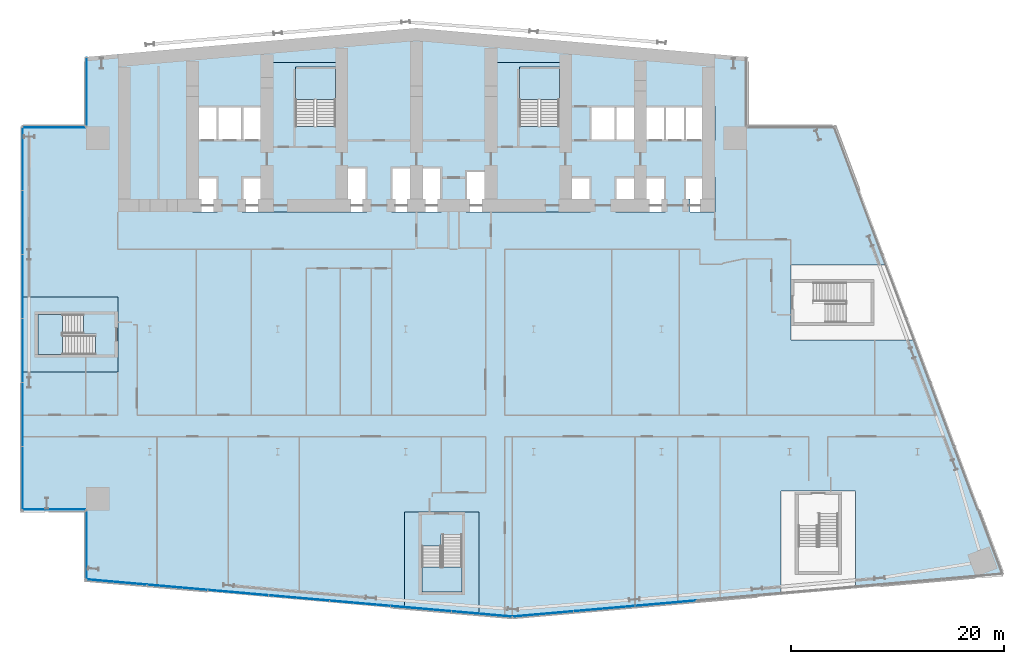
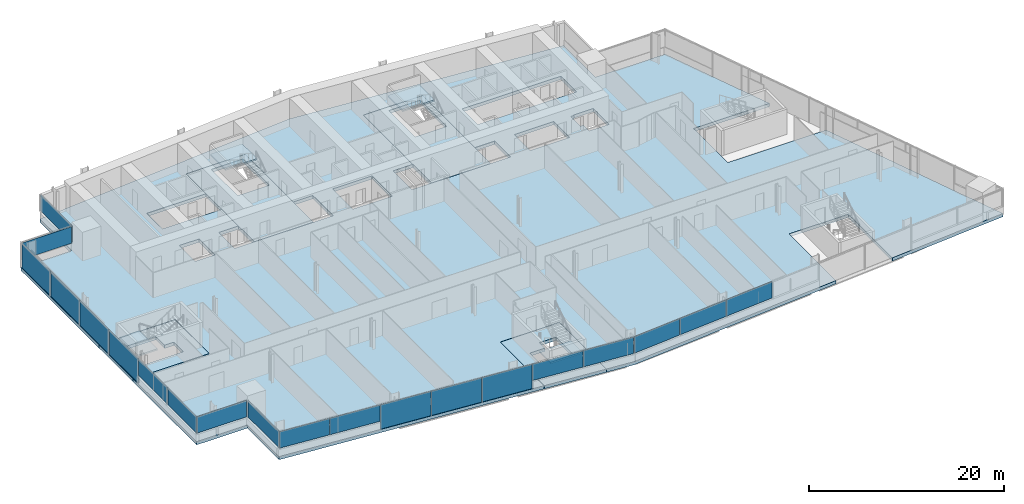
# One storey, part 11 of 24: 20 plates, 9 slabs, 11 elements without a shape of their own.
"""IFC4 building model written with IfcOpenShell, lengths in metres."""

from ifc_helpers import new_model, si_unit, direction, frame, origin, origin_2d, place, context, subcontext, project, spatial, polyline, rectangle, outline, extrude, material, layer, layer_set, type_object, element, aggregate, save


model = new_model("IFC4")

# Units and contexts
model_context = context("Model", 3, precision=1e-05, world=origin(), true_north=direction((0.0, 1.0)))
body_context = subcontext(model_context, "Body", "Model", "MODEL_VIEW")
ifc_project = project(units=[si_unit("LENGTHUNIT", "METRE"), si_unit("AREAUNIT", "SQUARE_METRE"), si_unit("VOLUMEUNIT", "CUBIC_METRE"), si_unit("PLANEANGLEUNIT", "RADIAN"), si_unit("MASSUNIT", "GRAM", prefix="KILO")], contexts=[model_context])

# Site, building, storey
site_placement = place(None, origin())
site = spatial("IfcSite", under=ifc_project, at=site_placement, CompositionType="ELEMENT")
building_placement = place(site_placement, origin())
building = spatial("IfcBuilding", under=site, at=building_placement, Name="Wharfspan Tower", CompositionType="ELEMENT")
storey_placement = place(building_placement, frame((0.0, 0.0, 88.300049)))
storey = spatial("IfcBuildingStorey", under=building, at=storey_placement, Name="L19", CompositionType="ELEMENT", Elevation=88.300049)

# Curtain wall, plates
ifc_material_1 = material(Name="Aluminium 6063-T6", Category="aluminium")
curtain_wall_type_1 = type_object("IfcCurtainWallType", Name="CURTAIN WALL FACETED FRONT", PredefinedType="NOTDEFINED", material=ifc_material_1)
curtain_wall_1_placement = place(storey_placement, origin())
curtain_wall_1 = element("IfcCurtainWall", 1, at=curtain_wall_1_placement, inside=storey, type_object=curtain_wall_type_1, Name="Curtain wall S1", PredefinedType="NOTDEFINED")
ifc_material_2 = material(Name="Glass clear low-iron double glazing", Category="glass")
ifc_layer_1 = layer(ifc_material_2, 0.040039)
ifc_layer_set_1 = layer_set([ifc_layer_1], Name="Glass clear low-iron double glazing")
plate_type_1 = type_object("IfcPlateType", Name="GLASS PANEL FACETED FRONT 40", PredefinedType="CURTAIN_PANEL", material=ifc_layer_set_1)
plate_1_placement = place(storey_placement, frame((8.877197, -0.716553, 1.0), z_axis=(0.0, 0.0, 1.0), x_axis=(0.996197, -0.087156, 0.0)))
plate_1 = element("IfcPlate", 2, at=plate_1_placement, type_object=plate_type_1, Name="Curtain wall S1 panel 1", PredefinedType="CURTAIN_PANEL", context=body_context, shape_type="SweptSolid", body=[
    extrude(rectangle(XDim=5.645996, YDim=0.040039, at=origin_2d()), origin(), (0.0, 0.0, 1.0), 2.070068),
])
plate_2_placement = place(storey_placement, frame((14.57666, -1.215088, 1.0), z_axis=(0.0, 0.0, 1.0), x_axis=(0.996197, -0.087156, 0.0)))
plate_2 = element("IfcPlate", 3, at=plate_2_placement, type_object=plate_type_1, Name="Curtain wall S1 panel 2", PredefinedType="CURTAIN_PANEL", context=body_context, shape_type="SweptSolid", body=[
    extrude(rectangle(XDim=5.676025, YDim=0.040039, at=origin_2d()), origin(), (0.0, 0.0, 1.0), 2.070068),
])
plate_3_placement = place(storey_placement, frame((37.433838, -3.214844, 1.0), z_axis=(0.0, 0.0, 1.0), x_axis=(0.996197, -0.087156, 0.0)))
plate_3 = element("IfcPlate", 4, at=plate_3_placement, type_object=plate_type_1, Name="Curtain wall S1 panel 6", PredefinedType="CURTAIN_PANEL", context=body_context, shape_type="SweptSolid", body=[
    extrude(rectangle(XDim=5.676025, YDim=0.040039, at=origin_2d()), origin(), (0.0, 0.0, 1.0), 2.070068),
])
plate_4_placement = place(storey_placement, frame((43.133057, -3.713379, 1.0), z_axis=(0.0, 0.0, 1.0), x_axis=(0.996197, -0.087156, 0.0)))
plate_4 = element("IfcPlate", 5, at=plate_4_placement, type_object=plate_type_1, Name="Curtain wall S1 panel 7", PredefinedType="CURTAIN_PANEL", context=body_context, shape_type="SweptSolid", body=[
    extrude(rectangle(XDim=5.645996, YDim=0.040039, at=origin_2d()), origin(), (0.0, 0.0, 1.0), 2.070068),
])

curtain_wall_2_placement = place(storey_placement, origin())
curtain_wall_2 = element("IfcCurtainWall", 6, at=curtain_wall_2_placement, inside=storey, type_object=curtain_wall_type_1, Name="Curtain wall S2", PredefinedType="NOTDEFINED")
plate_5_placement = place(storey_placement, frame((48.884766, -3.711914, 1.0), z_axis=(0.0, 0.0, 1.0), x_axis=(0.996197, 0.087156, 0.0)))
plate_5 = element("IfcPlate", 7, at=plate_5_placement, type_object=plate_type_1, Name="Curtain wall S2 panel 1", PredefinedType="CURTAIN_PANEL", context=body_context, shape_type="SweptSolid", body=[
    extrude(rectangle(XDim=5.681885, YDim=0.040039, at=origin_2d()), origin(), (0.0, 0.0, 1.0), 2.070068),
])
plate_6_placement = place(storey_placement, frame((54.619873, -3.210205, 1.0), z_axis=(0.0, 0.0, 1.0), x_axis=(0.996197, 0.087156, 0.0)))
plate_6 = element("IfcPlate", 8, at=plate_6_placement, type_object=plate_type_1, Name="Curtain wall S2 panel 2", PredefinedType="CURTAIN_PANEL", context=body_context, shape_type="SweptSolid", body=[
    extrude(rectangle(XDim=5.711914, YDim=0.040039, at=origin_2d()), origin(), (0.0, 0.0, 1.0), 2.070068),
])
plate_7_placement = place(storey_placement, frame((60.369873, -2.707031, 1.0), z_axis=(0.0, 0.0, 1.0), x_axis=(0.996197, 0.087156, 0.0)))
plate_7 = element("IfcPlate", 9, at=plate_7_placement, type_object=plate_type_1, Name="Curtain wall S2 panel 3", PredefinedType="CURTAIN_PANEL", context=body_context, shape_type="SweptSolid", body=[
    extrude(rectangle(XDim=5.711914, YDim=0.040039, at=origin_2d()), origin(), (0.0, 0.0, 1.0), 2.070068),
])
aggregate(curtain_wall_2, [plate_5, plate_6, plate_7])

# Curtain wall, plate
curtain_wall_type_2 = type_object("IfcCurtainWallType", Name="CURTAIN WALL PROW AND END", PredefinedType="NOTDEFINED", material=ifc_material_1)
curtain_wall_3_placement = place(storey_placement, origin())
curtain_wall_3 = element("IfcCurtainWall", 10, at=curtain_wall_3_placement, inside=storey, type_object=curtain_wall_type_2, Name="Curtain wall NRW-V", PredefinedType="NOTDEFINED")
ifc_layer_2 = layer(ifc_material_2, 0.040039)
ifc_layer_set_2 = layer_set([ifc_layer_2], Name="Glass clear low-iron double glazing")
plate_type_2 = type_object("IfcPlateType", Name="GLASS PANEL PROW AND END 40", PredefinedType="CURTAIN_PANEL", material=ifc_layer_set_2)
plate_8_placement = place(storey_placement, frame((6.080078, 45.262451, 1.0), z_axis=(0.0, 0.0, 1.0), x_axis=(0.0, -1.0, 0.0)))
plate_8 = element("IfcPlate", 11, at=plate_8_placement, type_object=plate_type_2, Name="Curtain wall NRW-V panel 1", PredefinedType="CURTAIN_PANEL", context=body_context, shape_type="SweptSolid", body=[
    extrude(rectangle(XDim=6.405029, YDim=0.040039, at=origin_2d()), origin(), (0.0, 0.0, 1.0), 2.070068),
])
aggregate(curtain_wall_3, [plate_8])

curtain_wall_4_placement = place(storey_placement, origin())
curtain_wall_4 = element("IfcCurtainWall", 12, at=curtain_wall_4_placement, inside=storey, type_object=curtain_wall_type_2, Name="Curtain wall NRW-H", PredefinedType="NOTDEFINED")
plate_9_placement = place(storey_placement, frame((3.0, 41.919922, 1.0), z_axis=(0.0, 0.0, 1.0), x_axis=(-1.0, 0.0, 0.0)))
plate_9 = element("IfcPlate", 13, at=plate_9_placement, type_object=plate_type_2, Name="Curtain wall NRW-H panel 1", PredefinedType="CURTAIN_PANEL", context=body_context, shape_type="SweptSolid", body=[
    extrude(rectangle(XDim=5.879883, YDim=0.040039, at=origin_2d()), origin(), (0.0, 0.0, 1.0), 2.070068),
])
aggregate(curtain_wall_4, [plate_9])

# Curtain wall, plates
curtain_wall_5_placement = place(storey_placement, origin())
curtain_wall_5 = element("IfcCurtainWall", 14, at=curtain_wall_5_placement, inside=storey, type_object=curtain_wall_type_2, Name="Curtain wall W", PredefinedType="NOTDEFINED")
plate_10_placement = place(storey_placement, frame((0.080078, 15.0, 1.0), z_axis=(0.0, 0.0, 1.0), x_axis=(0.0, -1.0, 0.0)))
plate_10 = element("IfcPlate", 15, at=plate_10_placement, type_object=plate_type_2, Name="Curtain wall W panel 5", PredefinedType="CURTAIN_PANEL", context=body_context, shape_type="SweptSolid", body=[
    extrude(rectangle(XDim=5.939941, YDim=0.040039, at=origin_2d()), origin(), (0.0, 0.0, 1.0), 2.070068),
])
plate_11_placement = place(storey_placement, frame((0.080078, 9.014893, 1.0), z_axis=(0.0, 0.0, 1.0), x_axis=(0.0, -1.0, 0.0)))
plate_11 = element("IfcPlate", 16, at=plate_11_placement, type_object=plate_type_2, Name="Curtain wall W panel 6", PredefinedType="CURTAIN_PANEL", context=body_context, shape_type="SweptSolid", body=[
    extrude(rectangle(XDim=5.909912, YDim=0.040039, at=origin_2d()), origin(), (0.0, 0.0, 1.0), 2.070068),
])

# Curtain wall, plate
curtain_wall_6_placement = place(storey_placement, origin())
curtain_wall_6 = element("IfcCurtainWall", 17, at=curtain_wall_6_placement, inside=storey, type_object=curtain_wall_type_2, Name="Curtain wall NFW-H", PredefinedType="NOTDEFINED")
plate_12_placement = place(storey_placement, frame((3.0, 6.080078, 1.0), z_axis=(0.0, 0.0, 1.0), x_axis=(1.0, 0.0, 0.0)))
plate_12 = element("IfcPlate", 18, at=plate_12_placement, type_object=plate_type_2, Name="Curtain wall NFW-H panel 1", PredefinedType="CURTAIN_PANEL", context=body_context, shape_type="SweptSolid", body=[
    extrude(rectangle(XDim=5.879883, YDim=0.040039, at=origin_2d()), origin(), (0.0, 0.0, 1.0), 2.070068),
])
aggregate(curtain_wall_6, [plate_12])

curtain_wall_7_placement = place(storey_placement, origin())
curtain_wall_7 = element("IfcCurtainWall", 19, at=curtain_wall_7_placement, inside=storey, type_object=curtain_wall_type_2, Name="Curtain wall NFW-V", PredefinedType="NOTDEFINED")
plate_13_placement = place(storey_placement, frame((6.080078, 2.737549, 1.0), z_axis=(0.0, 0.0, 1.0), x_axis=(0.0, -1.0, 0.0)))
plate_13 = element("IfcPlate", 20, at=plate_13_placement, type_object=plate_type_2, Name="Curtain wall NFW-V panel 1", PredefinedType="CURTAIN_PANEL", context=body_context, shape_type="SweptSolid", body=[
    extrude(rectangle(XDim=6.405029, YDim=0.040039, at=origin_2d()), origin(), (0.0, 0.0, 1.0), 2.070068),
])
aggregate(curtain_wall_7, [plate_13])

# Plate
ifc_material_3 = material(Name="Aluminium composite opaque insulated panel", Category="aluminium")
ifc_layer_3 = layer(ifc_material_3, 0.040039)
ifc_layer_set_3 = layer_set([ifc_layer_3], Name="Aluminium composite opaque insulated panel")
plate_type_3 = type_object("IfcPlateType", Name="INFILL PANEL FACETED FRONT OPAQUE 40", PredefinedType="SHEET", material=ifc_layer_set_3)
plate_14_placement = place(storey_placement, frame((20.291016, -1.715088, 0.0), z_axis=(0.0, 0.0, 1.0), x_axis=(0.996197, -0.087156, 0.0)))
plate_14 = element("IfcPlate", 21, at=plate_14_placement, type_object=plate_type_3, Name="Curtain wall S1 panel 3", PredefinedType="SHEET", context=body_context, shape_type="SweptSolid", body=[
    extrude(rectangle(XDim=5.676025, YDim=0.040039, at=origin_2d()), origin(), (0.0, 0.0, 1.0), 3.070068),
])

plate_15_placement = place(storey_placement, frame((26.005127, -2.214844, 0.0), z_axis=(0.0, 0.0, 1.0), x_axis=(0.996197, -0.087156, 0.0)))
plate_15 = element("IfcPlate", 22, at=plate_15_placement, type_object=plate_type_3, Name="Curtain wall S1 panel 4", PredefinedType="SHEET", context=body_context, shape_type="SweptSolid", body=[
    extrude(rectangle(XDim=5.676025, YDim=0.040039, at=origin_2d()), origin(), (0.0, 0.0, 1.0), 3.070068),
])

plate_16_placement = place(storey_placement, frame((31.719482, -2.714844, 0.0), z_axis=(0.0, 0.0, 1.0), x_axis=(0.996197, -0.087156, 0.0)))
plate_16 = element("IfcPlate", 23, at=plate_16_placement, type_object=plate_type_3, Name="Curtain wall S1 panel 5", PredefinedType="SHEET", context=body_context, shape_type="SweptSolid", body=[
    extrude(rectangle(XDim=5.676025, YDim=0.040039, at=origin_2d()), origin(), (0.0, 0.0, 1.0), 3.070068),
])

aggregate(curtain_wall_1, [plate_1, plate_2, plate_14, plate_15, plate_16, plate_3, plate_4])

ifc_layer_4 = layer(ifc_material_3, 0.040039)
ifc_layer_set_4 = layer_set([ifc_layer_4], Name="Aluminium composite opaque insulated panel")
plate_type_4 = type_object("IfcPlateType", Name="INFILL PANEL PROW AND END OPAQUE 40", PredefinedType="SHEET", material=ifc_layer_set_4)
plate_17_placement = place(storey_placement, frame((0.080078, 38.985107, 0.0), z_axis=(0.0, 0.0, 1.0), x_axis=(0.0, -1.0, 0.0)))
plate_17 = element("IfcPlate", 24, at=plate_17_placement, type_object=plate_type_4, Name="Curtain wall W panel 1", PredefinedType="SHEET", context=body_context, shape_type="SweptSolid", body=[
    extrude(rectangle(XDim=5.909912, YDim=0.040039, at=origin_2d()), origin(), (0.0, 0.0, 1.0), 3.070068),
])

plate_18_placement = place(storey_placement, frame((0.080078, 33.0, 0.0), z_axis=(0.0, 0.0, 1.0), x_axis=(0.0, -1.0, 0.0)))
plate_18 = element("IfcPlate", 25, at=plate_18_placement, type_object=plate_type_4, Name="Curtain wall W panel 2", PredefinedType="SHEET", context=body_context, shape_type="SweptSolid", body=[
    extrude(rectangle(XDim=5.939941, YDim=0.040039, at=origin_2d()), origin(), (0.0, 0.0, 1.0), 3.070068),
])

plate_19_placement = place(storey_placement, frame((0.080078, 27.0, 0.0), z_axis=(0.0, 0.0, 1.0), x_axis=(0.0, -1.0, 0.0)))
plate_19 = element("IfcPlate", 26, at=plate_19_placement, type_object=plate_type_4, Name="Curtain wall W panel 3", PredefinedType="SHEET", context=body_context, shape_type="SweptSolid", body=[
    extrude(rectangle(XDim=5.939941, YDim=0.040039, at=origin_2d()), origin(), (0.0, 0.0, 1.0), 3.070068),
])

plate_20_placement = place(storey_placement, frame((0.080078, 21.0, 0.0), z_axis=(0.0, 0.0, 1.0), x_axis=(0.0, -1.0, 0.0)))
plate_20 = element("IfcPlate", 27, at=plate_20_placement, type_object=plate_type_4, Name="Curtain wall W panel 4", PredefinedType="SHEET", context=body_context, shape_type="SweptSolid", body=[
    extrude(rectangle(XDim=5.939941, YDim=0.040039, at=origin_2d()), origin(), (0.0, 0.0, 1.0), 3.070068),
])

aggregate(curtain_wall_5, [plate_17, plate_18, plate_19, plate_20, plate_10, plate_11])

# Slabs
ifc_material_4 = material(Name="Concrete C40/50", Category="concrete")
ifc_layer_5 = layer(ifc_material_4, 0.399902)
ifc_layer_set_5 = layer_set([ifc_layer_5], Name="Concrete C40/50")
slab_type_1 = type_object("IfcSlabType", Name="Post-tensioned flat slab 400", PredefinedType="FLOOR", material=ifc_layer_set_5)
slab_1_placement = place(storey_placement, frame((0.0, 0.0, -0.400146)))
element("IfcSlab", 28, at=slab_1_placement, inside=storey, type_object=slab_type_1, Name="Floor slab L19", PredefinedType="FLOOR", context=body_context, shape_type="SweptSolid", body=[
    extrude(outline(polyline([(35.873291, -3.138428), (35.873291, 5.870605), (42.893311, 5.870605), (42.893311, -3.752686), (46.0, -4.024414), (71.182617, -1.821289), (71.182617, 7.802002), (78.202393, 7.802002), (78.202393, -1.207031), (92.0, 0.0), (83.753662, 21.98999), (72.11499, 21.98999), (72.11499, 29.01001), (81.121338, 29.01001), (76.25, 42.0), (68.0, 42.0), (68.0, 48.524902), (37.0, 51.237061), (6.0, 48.524902), (6.0, 42.0), (0.0, 42.0), (0.0, 26.01001), (9.01001, 26.01001), (9.01001, 18.98999), (0.0, 18.98999), (0.0, 6.0), (6.0, 6.0), (6.0, -0.524902), (35.873291, -3.138428)]), holes=[polyline([(62.290039, 37.159912), (62.656738, 37.159912), (62.656738, 37.26001), (65.01001, 37.26001), (65.01001, 33.98999), (62.656738, 33.98999), (62.656738, 35.189941), (62.290039, 35.189941), (62.290039, 37.159912)]), polyline([(65.01001, 43.909912), (65.01001, 40.689941), (53.323242, 40.689941), (53.323242, 43.909912), (65.01001, 43.909912)]), polyline([(55.656738, 33.98999), (55.656738, 37.26001), (60.343262, 37.26001), (60.343262, 33.98999), (55.656738, 33.98999)]), polyline([(43.98999, 37.860107), (43.98999, 48.01001), (51.01001, 48.01001), (51.01001, 37.26001), (53.343262, 37.26001), (53.343262, 33.98999), (41.656738, 33.98999), (41.656738, 37.860107), (43.98999, 37.860107)]), polyline([(34.656738, 33.98999), (34.656738, 38.159912), (39.343262, 38.159912), (39.343262, 33.98999), (34.656738, 33.98999)]), polyline([(15.98999, 40.689941), (15.98999, 43.909912), (20.656738, 43.909912), (20.676758, 43.909912), (22.98999, 43.909912), (22.98999, 48.01001), (30.01001, 48.01001), (30.01001, 38.159912), (32.343262, 38.159912), (32.343262, 33.98999), (20.656738, 33.98999), (20.656738, 37.26001), (22.98999, 37.26001), (22.98999, 40.689941), (20.676758, 40.689941), (20.656738, 40.689941), (15.98999, 40.689941)]), polyline([(18.343262, 37.26001), (18.343262, 33.98999), (15.98999, 33.98999), (15.98999, 37.26001), (18.343262, 37.26001)])]), origin(), (0.0, 0.0, 1.0), 0.400146),
])
slab_2_placement = place(storey_placement, frame((0.0, 0.0, -0.400146)))
element("IfcSlab", 29, at=slab_2_placement, inside=storey, type_object=slab_type_1, Name="Core floor slab L19 part 1", PredefinedType="FLOOR", context=body_context, shape_type="SweptSolid", body=[
    extrude(outline(polyline([(9.0, 20.324951), (9.0, 24.675049), (9.0, 26.0), (0.0, 26.0), (0.0, 19.0), (9.0, 19.0), (9.0, 20.324951)]), holes=[polyline([(6.9021, 20.624756), (6.9021, 20.624512), (6.901855, 20.624512), (6.901855, 20.624268), (6.901855, 20.624023), (6.901611, 20.623779), (6.901611, 20.623779), (6.901367, 20.623535), (6.901367, 20.623535), (6.901123, 20.623291), (6.900879, 20.623291), (6.900879, 20.623291), (6.900635, 20.623047), (6.900391, 20.623047), (6.900146, 20.623047), (6.899902, 20.623047), (1.5, 20.623047), (1.499756, 20.623047), (1.499512, 20.623047), (1.499512, 20.623047), (1.499268, 20.623291), (1.499023, 20.623291), (1.498779, 20.623291), (1.498779, 20.623535), (1.498535, 20.623535), (1.498535, 20.623779), (1.498291, 20.623779), (1.498291, 20.624023), (1.498291, 20.624268), (1.498047, 20.624512), (1.498047, 20.624512), (1.498047, 20.624756), (1.498047, 20.625), (1.498047, 24.375), (1.498047, 24.375244), (1.498047, 24.375488), (1.498047, 24.375488), (1.498291, 24.375732), (1.498291, 24.375977), (1.498291, 24.376221), (1.498535, 24.376221), (1.498535, 24.376465), (1.498779, 24.376465), (1.498779, 24.376709), (1.499023, 24.376709), (1.499268, 24.376709), (1.499512, 24.376953), (1.499512, 24.376953), (1.499756, 24.376953), (1.5, 24.376953), (6.899902, 24.376953), (6.900146, 24.376953), (6.900391, 24.376953), (6.900635, 24.376953), (6.900879, 24.376709), (6.900879, 24.376709), (6.901123, 24.376709), (6.901367, 24.376465), (6.901367, 24.376465), (6.901611, 24.376221), (6.901611, 24.376221), (6.901611, 24.375977), (5.779053, 24.375977), (5.779053, 22.573975), (6.9021, 22.573975), (6.9021, 20.625), (6.9021, 20.624756)])]), origin(), (0.0, 0.0, 1.0), 0.400146),
])
slab_3_placement = place(storey_placement, frame((0.0, 0.0, -0.400146)))
element("IfcSlab", 30, at=slab_3_placement, inside=storey, type_object=slab_type_1, Name="Core floor slab L19 part 2", PredefinedType="FLOOR", context=body_context, shape_type="SweptSolid", body=[
    extrude(outline(polyline([(20.664795, 34.0), (20.664795, 37.25), (20.664795, 37.250244), (20.664795, 37.250488), (20.664795, 37.250488), (20.664795, 37.250732), (20.664795, 37.250977), (20.665039, 37.251221), (20.665039, 37.251221), (20.665283, 37.251465), (20.665283, 37.251465), (20.665527, 37.251709), (20.665771, 37.251709), (20.666016, 37.251709), (20.666016, 37.251953), (20.66626, 37.251953), (20.666504, 37.251953), (20.666748, 37.251953), (23.0, 37.251953), (23.000244, 37.251953), (23.000488, 37.251953), (23.000488, 37.251953), (23.000732, 37.251709), (23.000977, 37.251709), (23.001221, 37.251709), (23.001221, 37.251465), (23.001465, 37.251465), (23.001465, 37.251221), (23.001709, 37.251221), (23.001709, 37.250977), (23.001709, 37.250732), (23.001953, 37.250488), (23.001953, 37.250488), (23.001953, 37.250244), (23.001953, 37.25), (23.001953, 34.0), (29.998047, 34.0), (29.998047, 38.149902), (29.998047, 38.150146), (29.998047, 38.150391), (29.998047, 38.150635), (29.998291, 38.150879), (29.998291, 38.150879), (29.998291, 38.151123), (29.998535, 38.151367), (29.998535, 38.151367), (29.998779, 38.151611), (29.998779, 38.151611), (29.999023, 38.151855), (29.999268, 38.151855), (29.999512, 38.151855), (29.999512, 38.1521), (29.999756, 38.1521), (30.0, 38.1521), (32.333252, 38.1521), (32.333496, 38.1521), (32.33374, 38.1521), (32.333984, 38.151855), (32.333984, 38.151855), (32.334229, 38.151855), (32.334473, 38.151611), (32.334717, 38.151611), (32.334717, 38.151367), (32.334961, 38.151367), (32.334961, 38.151123), (32.335205, 38.150879), (32.335205, 38.150879), (32.335205, 38.150635), (32.335205, 38.150391), (32.335205, 38.150146), (32.335205, 38.149902), (32.335205, 34.0), (32.341309, 34.0), (32.341309, 38.157959), (30.01001, 38.157959), (30.009766, 38.157959), (30.009521, 38.157959), (30.009521, 38.158203), (30.009277, 38.158203), (30.009033, 38.158203), (30.008789, 38.158203), (30.008789, 38.158447), (30.008545, 38.158691), (30.008545, 38.158691), (30.008301, 38.158936), (30.008301, 38.15918), (30.008301, 38.15918), (30.008057, 38.159424), (30.008057, 38.159668), (30.008057, 38.159912), (30.008057, 38.159912), (30.008057, 48.008057), (22.991943, 48.008057), (22.991943, 43.909912), (22.991943, 43.909912), (22.991943, 43.909668), (22.991943, 43.909424), (22.991699, 43.90918), (22.991699, 43.90918), (22.991699, 43.908936), (22.991455, 43.908691), (22.991455, 43.908691), (22.991211, 43.908447), (22.991211, 43.908203), (22.990967, 43.908203), (22.990723, 43.908203), (22.990479, 43.908203), (22.990479, 43.907959), (22.990234, 43.907959), (22.98999, 43.907959), (15.991943, 43.907959), (15.991943, 40.691895), (22.98999, 40.691895), (22.990234, 40.691895), (22.990479, 40.691895), (22.990479, 40.691895), (22.990723, 40.691895), (22.990967, 40.691895), (22.991211, 40.69165), (22.991211, 40.691406), (22.991455, 40.691406), (22.991455, 40.691406), (22.991699, 40.691162), (22.991699, 40.690918), (22.991699, 40.690918), (22.991943, 40.690674), (22.991943, 40.69043), (22.991943, 40.690186), (22.991943, 40.689941), (22.991943, 37.26001), (22.991943, 37.259766), (22.991943, 37.259521), (22.991943, 37.259521), (22.991699, 37.259277), (22.991699, 37.259033), (22.991699, 37.258789), (22.991455, 37.258789), (22.991455, 37.258545), (22.991211, 37.258545), (22.991211, 37.258301), (22.990967, 37.258301), (22.990723, 37.258301), (22.990479, 37.258057), (22.990479, 37.258057), (22.990234, 37.258057), (22.98999, 37.258057), (20.658691, 37.258057), (20.658691, 34.0), (20.664795, 34.0)]), holes=[polyline([(29.4021, 42.0), (29.4021, 41.999756), (29.4021, 41.999512), (29.401855, 41.999512), (29.401855, 41.999268), (29.401855, 41.999023), (29.401611, 41.998779), (29.401611, 41.998779), (29.401367, 41.998535), (29.401367, 41.998535), (29.401123, 41.998291), (29.400879, 41.998291), (29.400879, 41.998291), (29.400635, 41.998047), (29.400391, 41.998047), (29.400146, 41.998047), (29.399902, 41.998047), (25.649902, 41.998047), (25.649902, 41.998047), (25.649658, 41.998047), (25.649414, 41.998047), (25.64917, 41.998291), (25.64917, 41.998291), (25.648926, 41.998291), (25.648682, 41.998535), (25.648682, 41.998535), (25.648438, 41.998779), (25.648193, 41.998779), (25.648193, 41.999023), (25.648193, 41.999268), (25.648193, 41.999512), (25.647949, 41.999512), (25.647949, 41.999756), (25.647949, 42.0), (25.647949, 47.399902), (25.647949, 47.400146), (25.647949, 47.400391), (25.648193, 47.400635), (25.648193, 47.400879), (25.648193, 47.400879), (25.648193, 47.401123), (25.648438, 47.401367), (25.648682, 47.401367), (25.648682, 47.401611), (25.648926, 47.401611), (25.64917, 47.401855), (25.64917, 47.401855), (25.649414, 47.401855), (25.649658, 47.4021), (25.649902, 47.4021), (25.649902, 47.4021), (29.399902, 47.4021), (29.400146, 47.4021), (29.400391, 47.4021), (29.400635, 47.401855), (29.400879, 47.401855), (29.400879, 47.401855), (29.401123, 47.401611), (29.401367, 47.401611), (29.401367, 47.401367), (29.401611, 47.401367), (29.401611, 47.401123), (29.401855, 47.400879), (29.401855, 47.400879), (29.401855, 47.400635), (29.4021, 47.400391), (29.4021, 47.400146), (29.4021, 47.399902), (29.4021, 42.0)]), polyline([(16.0, 40.697998), (15.999756, 40.697998), (15.999512, 40.697998), (15.999512, 40.697998), (15.999268, 40.698242), (15.999023, 40.698242), (15.998779, 40.698242), (15.998779, 40.698486), (15.998535, 40.698486), (15.998535, 40.69873), (15.998291, 40.698975), (15.998291, 40.699219), (15.998291, 40.699219), (15.998047, 40.699463), (15.998047, 40.699707), (15.998047, 40.699707), (15.998047, 40.699951), (15.998047, 43.899902), (15.998047, 43.900146), (15.998047, 43.900391), (15.998047, 43.900635), (15.998291, 43.900879), (15.998291, 43.900879), (15.998291, 43.901123), (15.998535, 43.901367), (15.998535, 43.901367), (15.998779, 43.901611), (15.998779, 43.901611), (15.999023, 43.901855), (15.999268, 43.901855), (15.999512, 43.901855), (15.999512, 43.9021), (15.999756, 43.9021), (16.0, 43.9021), (20.666748, 43.9021), (20.666748, 43.9021), (23.0, 43.9021), (23.000244, 43.9021), (23.000488, 43.9021), (23.000488, 43.901855), (23.000732, 43.901855), (23.000977, 43.901855), (23.001221, 43.901611), (23.001221, 43.901611), (23.001465, 43.901367), (23.001465, 43.901367), (23.001709, 43.901123), (23.001709, 43.900879), (23.001709, 43.900879), (23.001953, 43.900635), (23.001953, 43.900391), (23.001953, 43.900146), (23.001953, 43.899902), (23.001953, 40.699951), (23.001953, 40.699707), (23.001953, 40.699707), (23.001953, 40.699463), (23.001709, 40.699219), (23.001709, 40.699219), (23.001709, 40.698975), (23.001465, 40.69873), (23.001465, 40.698486), (23.001221, 40.698486), (23.001221, 40.698242), (23.000977, 40.698242), (23.000732, 40.698242), (23.000488, 40.697998), (23.000488, 40.697998), (23.000244, 40.697998), (23.0, 40.697998), (20.666748, 40.697998), (20.666748, 40.697998), (16.0, 40.697998)])]), origin(), (0.0, 0.0, 1.0), 0.400146),
])
slab_4_placement = place(storey_placement, frame((0.0, 0.0, -0.400146)))
element("IfcSlab", 31, at=slab_4_placement, inside=storey, type_object=slab_type_1, Name="Core floor slab L19 part 3", PredefinedType="FLOOR", context=body_context, shape_type="SweptSolid", body=[
    extrude(outline(polyline([(41.55835, 5.860596), (37.208252, 5.860596), (35.883301, 5.860596), (35.883301, -3.139404), (42.883301, -3.751709), (42.883301, 5.860596), (41.55835, 5.860596)]), holes=[polyline([(37.506348, 3.760742), (37.506348, 3.760986), (37.506348, 3.76123), (37.506592, 3.761475), (37.506592, 3.761719), (37.506592, 3.761719), (37.506836, 3.761963), (37.506836, 3.761963), (37.50708, 3.762207), (37.50708, 3.762207), (37.507324, 3.762451), (37.507324, 2.639648), (39.309326, 2.639648), (39.309326, 3.762695), (41.258301, 3.762695), (41.258545, 3.762695), (41.258789, 3.762695), (41.258789, 3.762451), (41.259033, 3.762451), (41.259277, 3.762451), (41.259521, 3.762207), (41.259521, 3.762207), (41.259766, 3.761963), (41.26001, 3.761963), (41.26001, 3.761719), (41.26001, 3.761719), (41.260254, 3.761475), (41.260254, 3.76123), (41.260254, 3.760986), (41.260254, 3.760742), (41.260254, 3.760498), (41.260254, -1.639404), (41.260254, -1.639648), (41.260254, -1.639893), (41.260254, -1.639893), (41.260254, -1.640137), (41.26001, -1.640381), (41.26001, -1.640381), (41.26001, -1.640625), (41.259766, -1.640869), (41.259521, -1.640869), (41.259521, -1.641113), (41.259277, -1.641113), (41.259033, -1.641113), (41.258789, -1.641357), (41.258789, -1.641357), (41.258545, -1.641357), (41.258301, -1.641357), (37.508301, -1.641357), (37.508057, -1.641357), (37.507812, -1.641357), (37.507812, -1.641357), (37.507568, -1.641113), (37.507324, -1.641113), (37.50708, -1.641113), (37.50708, -1.640869), (37.506836, -1.640869), (37.506836, -1.640625), (37.506592, -1.640381), (37.506592, -1.640381), (37.506592, -1.640137), (37.506348, -1.639893), (37.506348, -1.639893), (37.506348, -1.639648), (37.506348, -1.639404), (37.506348, 3.760498), (37.506348, 3.760742)])]), origin(), (0.0, 0.0, 1.0), 0.400146),
])
slab_5_placement = place(storey_placement, frame((0.0, 0.0, -0.400146)))
element("IfcSlab", 32, at=slab_5_placement, inside=storey, type_object=slab_type_1, Name="Core floor slab L19 part 4", PredefinedType="FLOOR", context=body_context, shape_type="SweptSolid", body=[
    extrude(outline(polyline([(53.341309, 34.0), (53.341309, 37.258057), (51.01001, 37.258057), (51.009766, 37.258057), (51.009521, 37.258057), (51.009521, 37.258057), (51.009277, 37.258301), (51.009033, 37.258301), (51.008789, 37.258301), (51.008789, 37.258545), (51.008545, 37.258545), (51.008545, 37.258789), (51.008301, 37.258789), (51.008301, 37.259033), (51.008301, 37.259277), (51.008057, 37.259521), (51.008057, 37.259521), (51.008057, 37.259766), (51.008057, 37.26001), (51.008057, 48.008057), (43.991943, 48.008057), (43.991943, 37.860107), (43.991943, 37.859863), (43.991943, 37.859619), (43.991943, 37.859375), (43.991699, 37.859131), (43.991699, 37.859131), (43.991699, 37.858887), (43.991455, 37.858643), (43.991455, 37.858643), (43.991211, 37.858398), (43.991211, 37.858398), (43.990967, 37.858154), (43.990723, 37.858154), (43.990479, 37.858154), (43.990479, 37.85791), (43.990234, 37.85791), (43.98999, 37.85791), (41.658691, 37.85791), (41.658691, 34.0), (41.664795, 34.0), (41.664795, 37.850098), (41.664795, 37.850098), (41.664795, 37.850342), (41.664795, 37.850586), (41.664795, 37.85083), (41.664795, 37.85083), (41.665039, 37.851074), (41.665039, 37.851318), (41.665283, 37.851318), (41.665283, 37.851562), (41.665527, 37.851807), (41.665771, 37.851807), (41.666016, 37.851807), (41.666016, 37.851807), (41.66626, 37.852051), (41.666504, 37.852051), (41.666748, 37.852051), (44.0, 37.852051), (44.000244, 37.852051), (44.000488, 37.852051), (44.000488, 37.851807), (44.000732, 37.851807), (44.000977, 37.851807), (44.001221, 37.851807), (44.001221, 37.851562), (44.001465, 37.851318), (44.001465, 37.851318), (44.001709, 37.851074), (44.001709, 37.85083), (44.001709, 37.85083), (44.001953, 37.850586), (44.001953, 37.850342), (44.001953, 37.850098), (44.001953, 37.850098), (44.001953, 34.0), (50.998047, 34.0), (50.998047, 37.25), (50.998047, 37.250244), (50.998047, 37.250488), (50.998047, 37.250488), (50.998291, 37.250732), (50.998291, 37.250977), (50.998291, 37.251221), (50.998535, 37.251221), (50.998535, 37.251465), (50.998779, 37.251465), (50.998779, 37.251709), (50.999023, 37.251709), (50.999268, 37.251709), (50.999512, 37.251953), (50.999512, 37.251953), (50.999756, 37.251953), (51.0, 37.251953), (53.333252, 37.251953), (53.333496, 37.251953), (53.33374, 37.251953), (53.333984, 37.251953), (53.333984, 37.251709), (53.334229, 37.251709), (53.334473, 37.251709), (53.334717, 37.251465), (53.334717, 37.251465), (53.334961, 37.251221), (53.334961, 37.251221), (53.335205, 37.250977), (53.335205, 37.250732), (53.335205, 37.250488), (53.335205, 37.250488), (53.335205, 37.250244), (53.335205, 37.25), (53.335205, 34.0), (53.341309, 34.0)]), holes=[polyline([(46.649902, 41.998047), (46.649902, 41.998047), (46.649658, 41.998047), (46.649414, 41.998047), (46.64917, 41.998291), (46.64917, 41.998291), (46.648926, 41.998291), (46.648682, 41.998535), (46.648682, 41.998535), (46.648438, 41.998779), (46.648193, 41.998779), (46.648193, 41.999023), (46.648193, 41.999268), (46.648193, 41.999512), (46.647949, 41.999512), (46.647949, 41.999756), (46.647949, 42.0), (46.647949, 47.399902), (46.647949, 47.400146), (46.647949, 47.400391), (46.648193, 47.400635), (46.648193, 47.400879), (46.648193, 47.400879), (46.648193, 47.401123), (46.648438, 47.401367), (46.648682, 47.401367), (46.648682, 47.401611), (46.648926, 47.401611), (46.64917, 47.401855), (46.64917, 47.401855), (46.649414, 47.401855), (46.649658, 47.4021), (46.649902, 47.4021), (46.649902, 47.4021), (50.399902, 47.4021), (50.400146, 47.4021), (50.400391, 47.4021), (50.400635, 47.401855), (50.400879, 47.401855), (50.400879, 47.401855), (50.401123, 47.401611), (50.401367, 47.401611), (50.401367, 47.401367), (50.401611, 47.401367), (50.401611, 47.401123), (50.401855, 47.400879), (50.401855, 47.400879), (50.401855, 47.400635), (50.4021, 47.400391), (50.4021, 47.400146), (50.4021, 47.399902), (50.4021, 42.0), (50.4021, 41.999756), (50.4021, 41.999512), (50.401855, 41.999512), (50.401855, 41.999268), (50.401855, 41.999023), (50.401611, 41.998779), (50.401611, 41.998779), (50.401367, 41.998535), (50.401367, 41.998535), (50.401123, 41.998291), (50.400879, 41.998291), (50.400879, 41.998291), (50.400635, 41.998047), (50.400391, 41.998047), (50.400146, 41.998047), (50.399902, 41.998047), (46.649902, 41.998047)])]), origin(), (0.0, 0.0, 1.0), 0.400146),
])

# Stair, slab
stair_type = type_object("IfcStairType", Name="Half-turn stair 20 risers 180 mm", PredefinedType="HALF_TURN_STAIR", material=ifc_material_4)
stair_1_placement = place(storey_placement, origin())
stair_1 = element("IfcStair", 33, at=stair_1_placement, inside=storey, type_object=stair_type, Name="L19 stair ST1", PredefinedType="HALF_TURN_STAIR")
ifc_layer_6 = layer(ifc_material_4, 0.199951)
ifc_layer_set_6 = layer_set([ifc_layer_6], Name="Concrete C40/50")
slab_type_2 = type_object("IfcSlabType", Name="Stair landing 200", PredefinedType="LANDING", material=ifc_layer_set_6)
slab_6_placement = place(storey_placement, frame((0.0, 0.0, 1.599854)))
slab_6 = element("IfcSlab", 34, at=slab_6_placement, type_object=slab_type_2, Name="ST1 landing 1", PredefinedType="LANDING", context=body_context, shape_type="SweptSolid", body=[
    extrude(outline(polyline([(25.649902, 44.52002), (29.399902, 44.52002), (29.399902, 47.582764), (25.649902, 47.582764), (25.649902, 44.52002)])), origin(), (0.0, 0.0, 1.0), 0.200195),
])
aggregate(stair_1, [slab_6])

stair_2_placement = place(storey_placement, origin())
stair_2 = element("IfcStair", 35, at=stair_2_placement, inside=storey, type_object=stair_type, Name="L19 stair ST2", PredefinedType="HALF_TURN_STAIR")
slab_7_placement = place(storey_placement, frame((0.0, 0.0, 1.599854)))
slab_7 = element("IfcSlab", 36, at=slab_7_placement, type_object=slab_type_2, Name="ST2 landing 1", PredefinedType="LANDING", context=body_context, shape_type="SweptSolid", body=[
    extrude(outline(polyline([(46.649902, 44.52002), (50.399902, 44.52002), (50.399902, 47.582764), (46.649902, 47.582764), (46.649902, 44.52002)])), origin(), (0.0, 0.0, 1.0), 0.200195),
])
aggregate(stair_2, [slab_7])

stair_3_placement = place(storey_placement, origin())
stair_3 = element("IfcStair", 37, at=stair_3_placement, inside=storey, type_object=stair_type, Name="L19 stair ST3", PredefinedType="HALF_TURN_STAIR")
slab_8_placement = place(storey_placement, frame((0.0, 0.0, 1.239746)))
slab_8 = element("IfcSlab", 38, at=slab_8_placement, type_object=slab_type_2, Name="ST3 landing 1", PredefinedType="LANDING", context=body_context, shape_type="SweptSolid", body=[
    extrude(outline(polyline([(3.820068, 24.375), (1.5, 24.375), (1.5, 20.625), (3.820068, 20.625), (3.820068, 24.375)])), origin(), (0.0, 0.0, 1.0), 0.200195),
])
aggregate(stair_3, [slab_8])

stair_4_placement = place(storey_placement, origin())
stair_4 = element("IfcStair", 39, at=stair_4_placement, inside=storey, type_object=stair_type, Name="L19 stair ST4", PredefinedType="HALF_TURN_STAIR")
slab_9_placement = place(storey_placement, frame((0.0, 0.0, 1.239746)))
slab_9 = element("IfcSlab", 40, at=slab_9_placement, type_object=slab_type_2, Name="ST4 landing 1", PredefinedType="LANDING", context=body_context, shape_type="SweptSolid", body=[
    extrude(outline(polyline([(37.508301, 0.680664), (37.508301, -1.639404), (41.258301, -1.639404), (41.258301, 0.680664), (37.508301, 0.680664)])), origin(), (0.0, 0.0, 1.0), 0.200195),
])
aggregate(stair_4, [slab_9])

save(model, "model.ifc")
